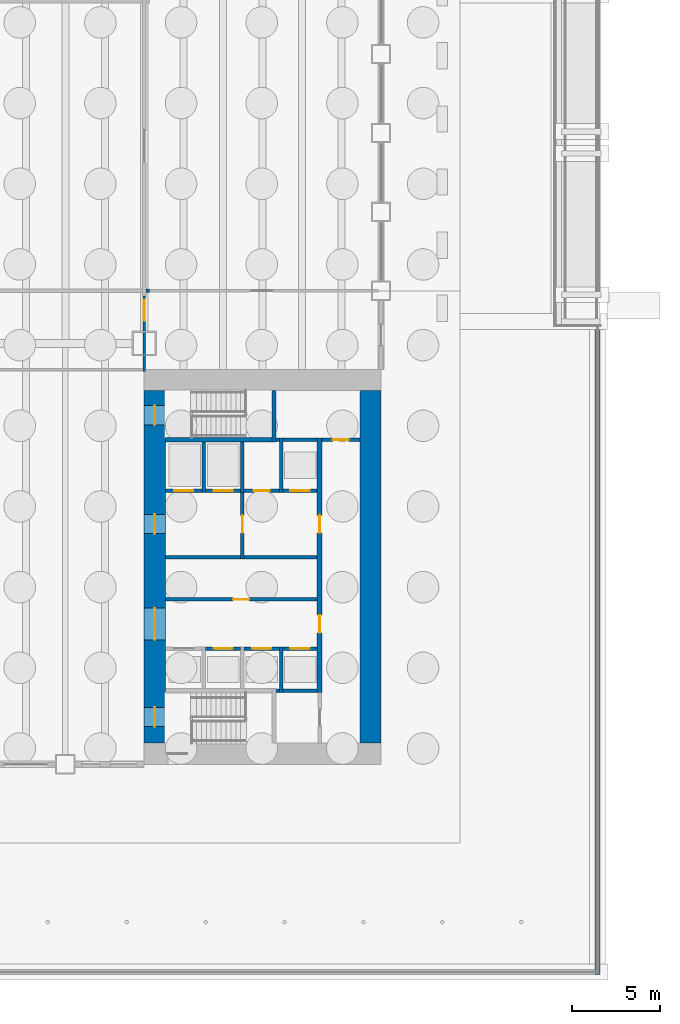
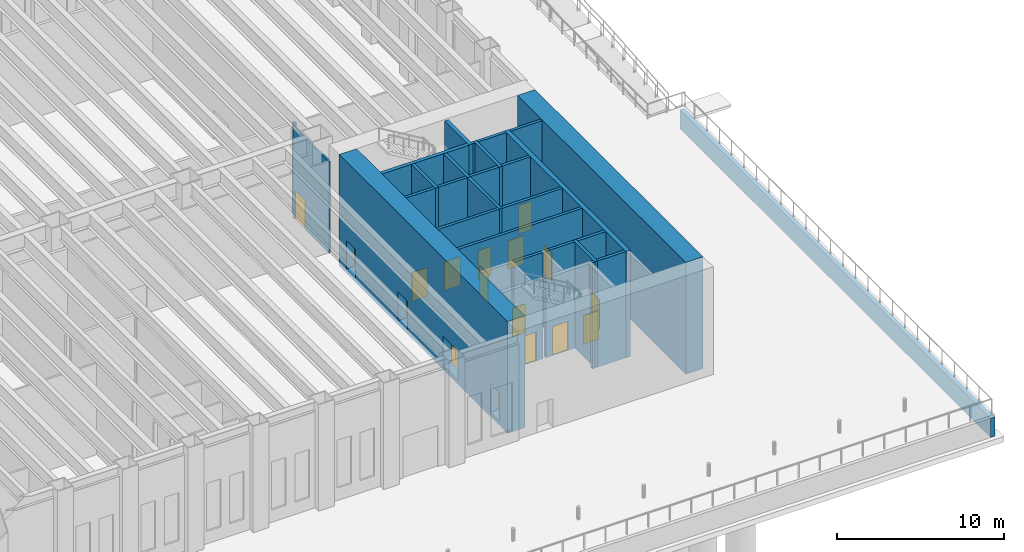
# One storey, part 13 of 26: 28 walls, 17 doors, 17 openings.
"""IFC4 building model written with IfcOpenShell, lengths in metres."""

from ifc_helpers import new_model, si_unit, direction, frame, frame_2d, origin, place, context, subcontext, project, spatial, rectangle, extrude, material, layer, layer_set, type_object, element, fill, save


model = new_model("IFC4")

# Units and contexts
model_context = context("Model", 3, precision=1e-05, world=origin(), true_north=direction((0.0, 1.0)))
body_context = subcontext(model_context, "Body", "Model", "MODEL_VIEW")
ifc_project = project(units=[si_unit("LENGTHUNIT", "METRE"), si_unit("AREAUNIT", "SQUARE_METRE"), si_unit("VOLUMEUNIT", "CUBIC_METRE"), si_unit("PLANEANGLEUNIT", "RADIAN"), si_unit("MASSUNIT", "GRAM", prefix="KILO")], contexts=[model_context])

# Site, building, storey
site_placement = place(None, origin())
site = spatial("IfcSite", under=ifc_project, at=site_placement, CompositionType="ELEMENT")
building_placement = place(site_placement, origin())
building = spatial("IfcBuilding", under=site, at=building_placement, Name="Sennacour Bend Tower", CompositionType="ELEMENT")
storey_placement = place(building_placement, origin())
storey = spatial("IfcBuildingStorey", under=building, at=storey_placement, Name="L00", CompositionType="ELEMENT", Elevation=0.0)

# Wall, openings, doors
ifc_material_1 = material(Name="Concrete C80/95", Category="concrete")
ifc_layer_1 = layer(ifc_material_1, 1.199951171875, Name="Concrete C80/95", Category="concrete")
ifc_layer_set_1 = layer_set([ifc_layer_1], Name="Concrete C80/95")
wall_type_1 = type_object("IfcWallType", Name="Core wall 1200 C80/95", PredefinedType="SHEAR", material=ifc_layer_set_1)
wall_1_placement = place(storey_placement, frame((54.60009765625, 1.199951171875, -0.300048828125), z_axis=(0.0, 0.0, 1.0), x_axis=(0.0, 1.0, 0.0)))
wall_1 = element("IfcWall", 1, at=wall_1_placement, inside=storey, type_object=wall_type_1, Name="Core A wall L00 W", PredefinedType="SHEAR", context=body_context, shape_type="SweptSolid", body=[
    extrude(rectangle(XDim=20.10009765625, YDim=1.199951171875, at=frame_2d((10.050048828125, 0.0))), origin(), (0.0, 0.0, 1.0), 8.150146484375),
])
opening_1_placement = place(wall_1_placement, frame((5.89990234375, 0.0, 0.300048828125)))
opening_1 = element("IfcOpeningElement", 2, at=opening_1_placement, cuts=wall_1, Name="Opening CD", PredefinedType="OPENING", context=body_context, shape_type="SweptSolid", body=[
    extrude(rectangle(XDim=1.800048828125, YDim=2.10009765625, at=frame_2d((0.89990234375, 1.050048828125))), frame((0.0, 0.60986328125, 0.0), z_axis=(0.0, -1.0, 0.0), x_axis=(1.0, 0.0, 0.0)), (0.0, 0.0, 1.0), 1.219970703125),
])
opening_2_placement = place(wall_1_placement, frame((11.949951171875, 0.0, 0.300048828125)))
opening_2 = element("IfcOpeningElement", 3, at=opening_2_placement, cuts=wall_1, Name="Opening FD", PredefinedType="OPENING", context=body_context, shape_type="SweptSolid", body=[
    extrude(rectangle(XDim=1.10009765625, YDim=2.10009765625, at=frame_2d((0.550048828125, 1.050048828125))), frame((0.0, 0.60986328125, 0.0), z_axis=(0.0, -1.0, 0.0), x_axis=(1.0, 0.0, 0.0)), (0.0, 0.0, 1.0), 1.219970703125),
])
opening_3_placement = place(wall_1_placement, frame((0.949951171875, 0.0, 0.300048828125)))
opening_3 = element("IfcOpeningElement", 4, at=opening_3_placement, cuts=wall_1, Name="Opening SD", PredefinedType="OPENING", context=body_context, shape_type="SweptSolid", body=[
    extrude(rectangle(XDim=1.10009765625, YDim=2.10009765625, at=frame_2d((0.550048828125, 1.050048828125))), frame((0.0, 0.60986328125, 0.0), z_axis=(0.0, -1.0, 0.0), x_axis=(1.0, 0.0, 0.0)), (0.0, 0.0, 1.0), 1.219970703125),
])
opening_4_placement = place(wall_1_placement, frame((18.14990234375, 0.0, 0.300048828125)))
opening_4 = element("IfcOpeningElement", 5, at=opening_4_placement, cuts=wall_1, Name="Opening SD", PredefinedType="OPENING", context=body_context, shape_type="SweptSolid", body=[
    extrude(rectangle(XDim=1.10009765625, YDim=2.10009765625, at=frame_2d((0.550048828125, 1.050048828125))), frame((0.0, 0.60986328125, 0.0), z_axis=(0.0, -1.0, 0.0), x_axis=(1.0, 0.0, 0.0)), (0.0, 0.0, 1.0), 1.219970703125),
])
ifc_material_2 = material(Name="Painted steel", Category="steel")
door_type_1 = type_object("IfcDoorType", Name="DR-FFL-1100", OperationType="NOTDEFINED", PredefinedType="DOOR", material=ifc_material_2)
door_1_placement = place(opening_2_placement, origin())
door_1 = element("IfcDoor", 6, at=door_1_placement, inside=storey, type_object=door_type_1, Name="Door", OperationType="SINGLE_SWING_RIGHT", OverallHeight=2.10009765625, OverallWidth=1.10009765625, PredefinedType="DOOR", context=body_context, shape_type="SweptSolid", body=[
    extrude(rectangle(XDim=1.10009765625, YDim=2.10009765625, at=frame_2d((0.550048828125, 1.050048828125))), frame((0.0, 0.02490234375, 0.0), z_axis=(0.0, -1.0, 0.0), x_axis=(1.0, 0.0, 0.0)), (0.0, 0.0, 1.0), 0.050048828125),
])
fill(opening_2, door_1)
door_type_2 = type_object("IfcDoorType", Name="DR-LOBBY-1800", OperationType="NOTDEFINED", PredefinedType="DOOR", material=ifc_material_2)
door_2_placement = place(opening_1_placement, origin())
door_2 = element("IfcDoor", 7, at=door_2_placement, inside=storey, type_object=door_type_2, Name="Door", OperationType="DOUBLE_DOOR_SINGLE_SWING", OverallHeight=2.10009765625, OverallWidth=1.800048828125, PredefinedType="DOOR", context=body_context, shape_type="SweptSolid", body=[
    extrude(rectangle(XDim=1.800048828125, YDim=2.10009765625, at=frame_2d((0.89990234375, 1.050048828125))), frame((0.0, 0.02490234375, 0.0), z_axis=(0.0, -1.0, 0.0), x_axis=(1.0, 0.0, 0.0)), (0.0, 0.0, 1.0), 0.050048828125),
])
fill(opening_1, door_2)
door_type_3 = type_object("IfcDoorType", Name="DR-STAIR-1100", OperationType="NOTDEFINED", PredefinedType="DOOR", material=ifc_material_2)
door_3_placement = place(opening_3_placement, origin())
door_3 = element("IfcDoor", 8, at=door_3_placement, inside=storey, type_object=door_type_3, Name="Door", OperationType="SINGLE_SWING_LEFT", OverallHeight=2.10009765625, OverallWidth=1.10009765625, PredefinedType="DOOR", context=body_context, shape_type="SweptSolid", body=[
    extrude(rectangle(XDim=1.10009765625, YDim=2.10009765625, at=frame_2d((0.550048828125, 1.050048828125))), frame((0.0, 0.02490234375, 0.0), z_axis=(0.0, -1.0, 0.0), x_axis=(1.0, 0.0, 0.0)), (0.0, 0.0, 1.0), 0.050048828125),
])
fill(opening_3, door_3)
door_4_placement = place(opening_4_placement, origin())
door_4 = element("IfcDoor", 9, at=door_4_placement, inside=storey, type_object=door_type_3, Name="Door", OperationType="SINGLE_SWING_RIGHT", OverallHeight=2.10009765625, OverallWidth=1.10009765625, PredefinedType="DOOR", context=body_context, shape_type="SweptSolid", body=[
    extrude(rectangle(XDim=1.10009765625, YDim=2.10009765625, at=frame_2d((0.550048828125, 1.050048828125))), frame((0.0, 0.02490234375, 0.0), z_axis=(0.0, -1.0, 0.0), x_axis=(1.0, 0.0, 0.0)), (0.0, 0.0, 1.0), 0.050048828125),
])
fill(opening_4, door_4)

# Walls
wall_2_placement = place(storey_placement, frame((66.89990234375, 1.199951171875, -0.300048828125), z_axis=(0.0, 0.0, 1.0), x_axis=(0.0, 1.0, 0.0)))
element("IfcWall", 10, at=wall_2_placement, inside=storey, type_object=wall_type_1, Name="Core A wall L00 E", PredefinedType="SHEAR", context=body_context, shape_type="SweptSolid", body=[
    extrude(rectangle(XDim=20.10009765625, YDim=1.199951171875, at=frame_2d((10.050048828125, 0.0))), origin(), (0.0, 0.0, 1.0), 8.150146484375),
])
ifc_material_3 = material(Name="Concrete C40/50", Category="concrete")
ifc_layer_2 = layer(ifc_material_3, 0.300048828125, Name="Concrete C40/50", Category="concrete")
ifc_layer_set_2 = layer_set([ifc_layer_2], Name="Concrete C40/50")
wall_type_2 = type_object("IfcWallType", Name="PLAZA RETAINING WALL 300", PredefinedType="STANDARD", material=ifc_layer_set_2)
wall_3_placement = place(storey_placement, frame((79.85009765625, -12.0, -1.60009765625), z_axis=(0.0, 0.0, 1.0), x_axis=(0.0, 1.0, 0.0)))
element("IfcWall", 11, at=wall_3_placement, inside=storey, type_object=wall_type_2, Name="Plaza retaining wall east", PredefinedType="STANDARD", context=body_context, shape_type="SweptSolid", body=[
    extrude(rectangle(XDim=37.10009765625, YDim=0.300048828125, at=frame_2d((18.550048828125, 0.0))), origin(), (0.0, 0.0, 1.0), 1.400146484375),
])

# Wall, opening, door
ifc_material_4 = material(Name="Plasterboard partition on steel studs", Category="steel")
ifc_layer_3 = layer(ifc_material_4, 0.1201171875, Name="Plasterboard partition on steel studs", Category="steel")
ifc_layer_set_3 = layer_set([ifc_layer_3], Name="Plasterboard partition on steel studs")
wall_type_3 = type_object("IfcWallType", Name="Partition 120 EI 60", PredefinedType="PARTITIONING", material=ifc_layer_set_3)
wall_4_placement = place(storey_placement, frame((54.0, 22.39990234375, 0.0), z_axis=(0.0, 0.0, 1.0), x_axis=(0.0, 1.0, 0.0)))
wall_4 = element("IfcWall", 12, at=wall_4_placement, inside=storey, type_object=wall_type_3, Name="P-L00-W031a", PredefinedType="PARTITIONING", context=body_context, shape_type="SweptSolid", body=[
    extrude(rectangle(XDim=4.300048828125, YDim=0.1201171875, at=frame_2d((2.14990234375, 0.0))), origin(), (0.0, 0.0, 1.0), 6.66015625),
])
opening_5_placement = place(wall_4_placement, frame((2.900146484375, 0.0, 0.0)))
opening_5 = element("IfcOpeningElement", 13, at=opening_5_placement, cuts=wall_4, Name="Opening SV5", PredefinedType="OPENING", context=body_context, shape_type="SweptSolid", body=[
    extrude(rectangle(XDim=1.199951171875, YDim=2.10009765625, at=frame_2d((0.60009765625, 1.050048828125))), frame((0.0, 0.070068359375, 0.0), z_axis=(0.0, -1.0, 0.0), x_axis=(1.0, 0.0, 0.0)), (0.0, 0.0, 1.0), 0.14013671875),
])
door_type_4 = type_object("IfcDoorType", Name="DR-SERVICE-1200", OperationType="NOTDEFINED", PredefinedType="DOOR", material=ifc_material_2)
door_5_placement = place(opening_5_placement, origin())
door_5 = element("IfcDoor", 14, at=door_5_placement, inside=storey, type_object=door_type_4, Name="Door", OperationType="SINGLE_SWING_RIGHT", OverallHeight=2.10009765625, OverallWidth=1.199951171875, PredefinedType="DOOR", context=body_context, shape_type="SweptSolid", body=[
    extrude(rectangle(XDim=1.199951171875, YDim=2.10009765625, at=frame_2d((0.60009765625, 1.050048828125))), frame((0.0, 0.02490234375, 0.0), z_axis=(0.0, -1.0, 0.0), x_axis=(1.0, 0.0, 0.0)), (0.0, 0.0, 1.0), 0.050048828125),
])
fill(opening_5, door_5)

ifc_material_5 = material(Name="Fire-rated plasterboard partition on steel studs", Category="steel")
ifc_layer_4 = layer(ifc_material_5, 0.199951171875, Name="Fire-rated plasterboard partition on steel studs", Category="steel")
ifc_layer_set_4 = layer_set([ifc_layer_4], Name="Fire-rated plasterboard partition on steel studs")
wall_type_4 = type_object("IfcWallType", Name="Rated partition 200", PredefinedType="PARTITIONING", material=ifc_layer_set_4)
wall_5_placement = place(storey_placement, frame((55.199951171875, 9.39990234375, 0.0), z_axis=(0.0, 0.0, 1.0), x_axis=(1.0, 0.0, 0.0)))
wall_5 = element("IfcWall", 15, at=wall_5_placement, inside=storey, type_object=wall_type_4, Name="P-L00-W058", PredefinedType="PARTITIONING", context=body_context, shape_type="SweptSolid", body=[
    extrude(rectangle(XDim=8.650146484375, YDim=0.199951171875, at=frame_2d((4.3251953125, 0.0))), origin(), (0.0, 0.0, 1.0), 7.75),
])
opening_6_placement = place(wall_5_placement, frame((3.875, 0.0, 0.0)))
opening_6 = element("IfcOpeningElement", 16, at=opening_6_placement, cuts=wall_5, Name="Opening SV", PredefinedType="OPENING", context=body_context, shape_type="SweptSolid", body=[
    extrude(rectangle(XDim=0.89990234375, YDim=2.10009765625, at=frame_2d((0.449951171875, 1.050048828125))), frame((0.0, 0.10986328125, 0.0), z_axis=(0.0, -1.0, 0.0), x_axis=(1.0, 0.0, 0.0)), (0.0, 0.0, 1.0), 0.219970703125),
])
door_type_5 = type_object("IfcDoorType", Name="DR-SERVICE-900", OperationType="NOTDEFINED", PredefinedType="DOOR", material=ifc_material_2)
door_6_placement = place(opening_6_placement, origin())
door_6 = element("IfcDoor", 17, at=door_6_placement, inside=storey, type_object=door_type_5, Name="Door", OperationType="SINGLE_SWING_LEFT", OverallHeight=2.10009765625, OverallWidth=0.89990234375, PredefinedType="DOOR", context=body_context, shape_type="SweptSolid", body=[
    extrude(rectangle(XDim=0.89990234375, YDim=2.10009765625, at=frame_2d((0.449951171875, 1.050048828125))), frame((0.0, 0.02490234375, 0.0), z_axis=(0.0, -1.0, 0.0), x_axis=(1.0, 0.0, 0.0)), (0.0, 0.0, 1.0), 0.050048828125),
])
fill(opening_6, door_6)

# Walls
wall_6_placement = place(storey_placement, frame((55.199951171875, 11.800048828125, 0.0), z_axis=(0.0, 0.0, 1.0), x_axis=(1.0, 0.0, 0.0)))
element("IfcWall", 18, at=wall_6_placement, inside=storey, type_object=wall_type_4, Name="P-L00-W060a", PredefinedType="PARTITIONING", context=body_context, shape_type="SweptSolid", body=[
    extrude(rectangle(XDim=4.300048828125, YDim=0.199951171875, at=frame_2d((2.14990234375, 0.0))), origin(), (0.0, 0.0, 1.0), 7.75),
])
wall_7_placement = place(storey_placement, frame((59.699951171875, 11.800048828125, 0.0), z_axis=(0.0, 0.0, 1.0), x_axis=(1.0, 0.0, 0.0)))
element("IfcWall", 19, at=wall_7_placement, inside=storey, type_object=wall_type_4, Name="P-L00-W060b", PredefinedType="PARTITIONING", context=body_context, shape_type="SweptSolid", body=[
    extrude(rectangle(XDim=4.150146484375, YDim=0.199951171875, at=frame_2d((2.0751953125, 0.0))), origin(), (0.0, 0.0, 1.0), 7.75),
])

# Wall, opening, door
wall_8_placement = place(storey_placement, frame((59.699951171875, 15.60009765625, 0.0), z_axis=(0.0, 0.0, 1.0), x_axis=(1.0, 0.0, 0.0)))
wall_8 = element("IfcWall", 20, at=wall_8_placement, inside=storey, type_object=wall_type_4, Name="P-L00-W063", PredefinedType="PARTITIONING", context=body_context, shape_type="SweptSolid", body=[
    extrude(rectangle(XDim=2.0, YDim=0.199951171875, at=frame_2d((1.0, 0.0))), origin(), (0.0, 0.0, 1.0), 7.75),
])
opening_7_placement = place(wall_8_placement, frame((0.550048828125, 0.0, 0.0)))
opening_7 = element("IfcOpeningElement", 21, at=opening_7_placement, cuts=wall_8, Name="Opening SV", PredefinedType="OPENING", context=body_context, shape_type="SweptSolid", body=[
    extrude(rectangle(XDim=0.89990234375, YDim=2.10009765625, at=frame_2d((0.449951171875, 1.050048828125))), frame((0.0, 0.10986328125, 0.0), z_axis=(0.0, -1.0, 0.0), x_axis=(1.0, 0.0, 0.0)), (0.0, 0.0, 1.0), 0.219970703125),
])
door_7_placement = place(opening_7_placement, origin())
door_7 = element("IfcDoor", 22, at=door_7_placement, inside=storey, type_object=door_type_5, Name="Door", OperationType="SINGLE_SWING_LEFT", OverallHeight=2.10009765625, OverallWidth=0.89990234375, PredefinedType="DOOR", context=body_context, shape_type="SweptSolid", body=[
    extrude(rectangle(XDim=0.89990234375, YDim=2.10009765625, at=frame_2d((0.449951171875, 1.050048828125))), frame((0.0, 0.02490234375, 0.0), z_axis=(0.0, -1.0, 0.0), x_axis=(1.0, 0.0, 0.0)), (0.0, 0.0, 1.0), 0.050048828125),
])
fill(opening_7, door_7)

# Wall
wall_9_placement = place(storey_placement, frame((61.52490234375, 18.5, 0.0), z_axis=(0.0, 0.0, 1.0), x_axis=(1.0, 0.0, 0.0)))
element("IfcWall", 23, at=wall_9_placement, inside=storey, type_object=wall_type_4, Name="P-L00-W066", PredefinedType="PARTITIONING", context=body_context, shape_type="SweptSolid", body=[
    extrude(rectangle(XDim=0.175048828125, YDim=0.199951171875, at=frame_2d((0.08740234375, 0.0))), origin(), (0.0, 0.0, 1.0), 7.75),
])

# Wall, opening, door
wall_10_placement = place(storey_placement, frame((64.14990234375, 18.5, 0.0), z_axis=(0.0, 0.0, 1.0), x_axis=(1.0, 0.0, 0.0)))
wall_10 = element("IfcWall", 24, at=wall_10_placement, inside=storey, type_object=wall_type_4, Name="P-L00-W068", PredefinedType="PARTITIONING", context=body_context, shape_type="SweptSolid", body=[
    extrude(rectangle(XDim=2.150146484375, YDim=0.199951171875, at=frame_2d((1.0751953125, 0.0))), origin(), (0.0, 0.0, 1.0), 7.75),
])
opening_8_placement = place(wall_10_placement, frame((0.60009765625, 0.0, 0.0)))
opening_8 = element("IfcOpeningElement", 25, at=opening_8_placement, cuts=wall_10, Name="Opening SV", PredefinedType="OPENING", context=body_context, shape_type="SweptSolid", body=[
    extrude(rectangle(XDim=0.89990234375, YDim=2.10009765625, at=frame_2d((0.449951171875, 1.050048828125))), frame((0.0, 0.10986328125, 0.0), z_axis=(0.0, -1.0, 0.0), x_axis=(1.0, 0.0, 0.0)), (0.0, 0.0, 1.0), 0.219970703125),
])
door_8_placement = place(opening_8_placement, origin())
door_8 = element("IfcDoor", 26, at=door_8_placement, inside=storey, type_object=door_type_5, Name="Door", OperationType="SINGLE_SWING_LEFT", OverallHeight=2.10009765625, OverallWidth=0.89990234375, PredefinedType="DOOR", context=body_context, shape_type="SweptSolid", body=[
    extrude(rectangle(XDim=0.89990234375, YDim=2.10009765625, at=frame_2d((0.449951171875, 1.050048828125))), frame((0.0, 0.02490234375, 0.0), z_axis=(0.0, -1.0, 0.0), x_axis=(1.0, 0.0, 0.0)), (0.0, 0.0, 1.0), 0.050048828125),
])
fill(opening_8, door_8)

# Wall
wall_11_placement = place(storey_placement, frame((54.10009765625, 27.0, 0.0), z_axis=(0.0, 0.0, 1.0), x_axis=(1.0, 0.0, 0.0)))
element("IfcWall", 27, at=wall_11_placement, inside=storey, type_object=wall_type_4, Name="P-L00-W072ac", PredefinedType="PARTITIONING", context=body_context, shape_type="SweptSolid", body=[
    extrude(rectangle(XDim=0.199951171875, YDim=0.199951171875, at=frame_2d((0.10009765625, 0.0))), origin(), (0.0, 0.0, 1.0), 6.66015625),
])

# Wall, opening, door
ifc_layer_5 = layer(ifc_material_5, 0.199951171875, Name="Fire-rated plasterboard partition on steel studs", Category="steel")
ifc_layer_set_5 = layer_set([ifc_layer_5], Name="Fire-rated plasterboard partition on steel studs")
wall_type_5 = type_object("IfcWallType", Name="Rated partition 200 EI 90", PredefinedType="PARTITIONING", material=ifc_layer_set_5)
wall_12_placement = place(storey_placement, frame((59.60009765625, 11.699951171875, 0.0), z_axis=(0.0, 0.0, 1.0), x_axis=(0.0, 1.0, 0.0)))
wall_12 = element("IfcWall", 28, at=wall_12_placement, inside=storey, type_object=wall_type_5, Name="P-L00-W037", PredefinedType="PARTITIONING", context=body_context, shape_type="SweptSolid", body=[
    extrude(rectangle(XDim=3.800048828125, YDim=0.199951171875, at=frame_2d((1.89990234375, 0.0))), origin(), (0.0, 0.0, 1.0), 7.75),
])
opening_9_placement = place(wall_12_placement, frame((1.5, 0.0, 0.0)))
opening_9 = element("IfcOpeningElement", 29, at=opening_9_placement, cuts=wall_12, Name="Opening FD2", PredefinedType="OPENING", context=body_context, shape_type="SweptSolid", body=[
    extrude(rectangle(XDim=1.0, YDim=2.10009765625, at=frame_2d((0.5, 1.050048828125))), frame((0.0, 0.10986328125, 0.0), z_axis=(0.0, -1.0, 0.0), x_axis=(1.0, 0.0, 0.0)), (0.0, 0.0, 1.0), 0.219970703125),
])
door_type_6 = type_object("IfcDoorType", Name="DR-FFL-1000", OperationType="NOTDEFINED", PredefinedType="DOOR", material=ifc_material_2)
door_9_placement = place(opening_9_placement, origin())
door_9 = element("IfcDoor", 30, at=door_9_placement, inside=storey, type_object=door_type_6, Name="Door", OperationType="SINGLE_SWING_RIGHT", OverallHeight=2.10009765625, OverallWidth=1.0, PredefinedType="DOOR", context=body_context, shape_type="SweptSolid", body=[
    extrude(rectangle(XDim=1.0, YDim=2.10009765625, at=frame_2d((0.5, 1.050048828125))), frame((0.0, 0.02490234375, 0.0), z_axis=(0.0, -1.0, 0.0), x_axis=(1.0, 0.0, 0.0)), (0.0, 0.0, 1.0), 0.050048828125),
])
fill(opening_9, door_9)

# Walls
ifc_material_6 = material(Name="Concrete C50/60", Category="concrete")
ifc_layer_6 = layer(ifc_material_6, 0.199951171875, Name="Concrete C50/60", Category="concrete")
ifc_layer_set_6 = layer_set([ifc_layer_6], Name="Concrete C50/60")
wall_type_6 = type_object("IfcWallType", Name="Shaft wall 200", PredefinedType="SOLIDWALL", material=ifc_layer_set_6)
for number, where, z_axis, x_axis, name in (
    (31, (57.39990234375, 15.5, 0.0), (0.0, 0.0, 1.0), (0.0, 1.0, 0.0), "P-L00-W035"),
    (32, (59.60009765625, 15.5, 0.0), (0.0, 0.0, 1.0), (0.0, 1.0, 0.0), "P-L00-W038"),
):
    element("IfcWall", number, at=place(storey_placement, frame(where, z_axis=z_axis, x_axis=x_axis)), inside=storey, type_object=wall_type_6, Name=name, PredefinedType="SOLIDWALL", context=body_context, shape_type="SweptSolid", body=[
        extrude(rectangle(XDim=2.875, YDim=0.199951171875, at=frame_2d((1.4375, 0.0))), origin(), (0.0, 0.0, 1.0), 7.75),
    ])
wall_13_placement = place(storey_placement, frame((61.800048828125, 4.10009765625, 0.0), z_axis=(0.0, 0.0, 1.0), x_axis=(0.0, 1.0, 0.0)))
element("IfcWall", 33, at=wall_13_placement, inside=storey, type_object=wall_type_6, Name="P-L00-W041", PredefinedType="SOLIDWALL", context=body_context, shape_type="SweptSolid", body=[
    extrude(rectangle(XDim=2.599853515625, YDim=0.199951171875, at=frame_2d((1.2998046875, 0.0))), origin(), (0.0, 0.0, 1.0), 7.75),
])
wall_14_placement = place(storey_placement, frame((61.800048828125, 15.5, 0.0), z_axis=(0.0, 0.0, 1.0), x_axis=(0.0, 1.0, 0.0)))
element("IfcWall", 34, at=wall_14_placement, inside=storey, type_object=wall_type_6, Name="P-L00-W042", PredefinedType="SOLIDWALL", context=body_context, shape_type="SweptSolid", body=[
    extrude(rectangle(XDim=3.10009765625, YDim=0.199951171875, at=frame_2d((1.550048828125, 0.0))), origin(), (0.0, 0.0, 1.0), 7.75),
])
wall_15_placement = place(storey_placement, frame((61.52490234375, 4.199951171875, 0.0), z_axis=(0.0, 0.0, 1.0), x_axis=(1.0, 0.0, 0.0)))
element("IfcWall", 35, at=wall_15_placement, inside=storey, type_object=wall_type_6, Name="P-L00-W054a", PredefinedType="SOLIDWALL", context=body_context, shape_type="SweptSolid", body=[
    extrude(rectangle(XDim=0.175048828125, YDim=0.199951171875, at=frame_2d((0.08740234375, 0.0))), origin(), (0.0, 0.0, 1.0), 7.75),
])
wall_16_placement = place(storey_placement, frame((61.89990234375, 4.199951171875, 0.0), z_axis=(0.0, 0.0, 1.0), x_axis=(1.0, 0.0, 0.0)))
element("IfcWall", 36, at=wall_16_placement, inside=storey, type_object=wall_type_6, Name="P-L00-W054b", PredefinedType="SOLIDWALL", context=body_context, shape_type="SweptSolid", body=[
    extrude(rectangle(XDim=1.9501953125, YDim=0.199951171875, at=frame_2d((0.97509765625, 0.0))), origin(), (0.0, 0.0, 1.0), 7.75),
])

# Wall, opening, door
wall_17_placement = place(storey_placement, frame((57.5, 6.60009765625, 0.0), z_axis=(0.0, 0.0, 1.0), x_axis=(1.0, 0.0, 0.0)))
wall_17 = element("IfcWall", 37, at=wall_17_placement, inside=storey, type_object=wall_type_6, Name="P-L00-W056b", PredefinedType="SOLIDWALL", context=body_context, shape_type="SweptSolid", body=[
    extrude(rectangle(XDim=2.0, YDim=0.199951171875, at=frame_2d((1.0, 0.0))), origin(), (0.0, 0.0, 1.0), 7.75),
])
opening_10_placement = place(wall_17_placement, frame((0.449951171875, 0.0, 0.011962890625)))
opening_10 = element("IfcOpeningElement", 38, at=opening_10_placement, cuts=wall_17, Name="Opening LD", PredefinedType="OPENING", context=body_context, shape_type="SweptSolid", body=[
    extrude(rectangle(XDim=1.10009765625, YDim=2.10009765625, at=frame_2d((0.550048828125, 1.050048828125))), frame((0.0, 0.10986328125, 0.0), z_axis=(0.0, -1.0, 0.0), x_axis=(1.0, 0.0, 0.0)), (0.0, 0.0, 1.0), 0.219970703125),
])
ifc_material_7 = material(Name="Stainless steel", Category="steel")
door_type_7 = type_object("IfcDoorType", Name="DR-LANDING-1100", OperationType="NOTDEFINED", PredefinedType="DOOR", material=ifc_material_7)
door_10_placement = place(opening_10_placement, origin())
door_10 = element("IfcDoor", 39, at=door_10_placement, inside=storey, type_object=door_type_7, Name="Lift landing door LA2", OperationType="SLIDING_TO_RIGHT", OverallHeight=2.10009765625, OverallWidth=1.10009765625, PredefinedType="DOOR", context=body_context, shape_type="SweptSolid", body=[
    extrude(rectangle(XDim=1.10009765625, YDim=2.10009765625, at=frame_2d((0.550048828125, 1.050048828125))), frame((0.0, 0.02490234375, 0.0), z_axis=(0.0, -1.0, 0.0), x_axis=(1.0, 0.0, 0.0)), (0.0, 0.0, 1.0), 0.050048828125),
])
fill(opening_10, door_10)

wall_18_placement = place(storey_placement, frame((59.699951171875, 6.60009765625, 0.0), z_axis=(0.0, 0.0, 1.0), x_axis=(1.0, 0.0, 0.0)))
wall_18 = element("IfcWall", 40, at=wall_18_placement, inside=storey, type_object=wall_type_6, Name="P-L00-W056c", PredefinedType="SOLIDWALL", context=body_context, shape_type="SweptSolid", body=[
    extrude(rectangle(XDim=2.0, YDim=0.199951171875, at=frame_2d((1.0, 0.0))), origin(), (0.0, 0.0, 1.0), 7.75),
])
opening_11_placement = place(wall_18_placement, frame((0.449951171875, 0.0, 0.011962890625)))
opening_11 = element("IfcOpeningElement", 41, at=opening_11_placement, cuts=wall_18, Name="Opening LD", PredefinedType="OPENING", context=body_context, shape_type="SweptSolid", body=[
    extrude(rectangle(XDim=1.10009765625, YDim=2.10009765625, at=frame_2d((0.550048828125, 1.050048828125))), frame((0.0, 0.10986328125, 0.0), z_axis=(0.0, -1.0, 0.0), x_axis=(1.0, 0.0, 0.0)), (0.0, 0.0, 1.0), 0.219970703125),
])
door_11_placement = place(opening_11_placement, origin())
door_11 = element("IfcDoor", 42, at=door_11_placement, inside=storey, type_object=door_type_7, Name="Lift landing door LA3", OperationType="SLIDING_TO_LEFT", OverallHeight=2.10009765625, OverallWidth=1.10009765625, PredefinedType="DOOR", context=body_context, shape_type="SweptSolid", body=[
    extrude(rectangle(XDim=1.10009765625, YDim=2.10009765625, at=frame_2d((0.550048828125, 1.050048828125))), frame((0.0, 0.02490234375, 0.0), z_axis=(0.0, -1.0, 0.0), x_axis=(1.0, 0.0, 0.0)), (0.0, 0.0, 1.0), 0.050048828125),
])
fill(opening_11, door_11)

wall_19_placement = place(storey_placement, frame((61.89990234375, 6.60009765625, 0.0), z_axis=(0.0, 0.0, 1.0), x_axis=(1.0, 0.0, 0.0)))
wall_19 = element("IfcWall", 43, at=wall_19_placement, inside=storey, type_object=wall_type_6, Name="P-L00-W056d", PredefinedType="SOLIDWALL", context=body_context, shape_type="SweptSolid", body=[
    extrude(rectangle(XDim=1.9501953125, YDim=0.199951171875, at=frame_2d((0.97509765625, 0.0))), origin(), (0.0, 0.0, 1.0), 7.75),
])
opening_12_placement = place(wall_19_placement, frame((0.425048828125, 0.0, 0.011962890625)))
opening_12 = element("IfcOpeningElement", 44, at=opening_12_placement, cuts=wall_19, Name="Opening LD", PredefinedType="OPENING", context=body_context, shape_type="SweptSolid", body=[
    extrude(rectangle(XDim=1.10009765625, YDim=2.10009765625, at=frame_2d((0.550048828125, 1.050048828125))), frame((0.0, 0.10986328125, 0.0), z_axis=(0.0, -1.0, 0.0), x_axis=(1.0, 0.0, 0.0)), (0.0, 0.0, 1.0), 0.219970703125),
])
door_12_placement = place(opening_12_placement, origin())
door_12 = element("IfcDoor", 45, at=door_12_placement, inside=storey, type_object=door_type_7, Name="Lift landing door LA4", OperationType="SLIDING_TO_RIGHT", OverallHeight=2.10009765625, OverallWidth=1.10009765625, PredefinedType="DOOR", context=body_context, shape_type="SweptSolid", body=[
    extrude(rectangle(XDim=1.10009765625, YDim=2.10009765625, at=frame_2d((0.550048828125, 1.050048828125))), frame((0.0, 0.02490234375, 0.0), z_axis=(0.0, -1.0, 0.0), x_axis=(1.0, 0.0, 0.0)), (0.0, 0.0, 1.0), 0.050048828125),
])
fill(opening_12, door_12)

wall_20_placement = place(storey_placement, frame((55.199951171875, 15.60009765625, 0.0), z_axis=(0.0, 0.0, 1.0), x_axis=(1.0, 0.0, 0.0)))
wall_20 = element("IfcWall", 46, at=wall_20_placement, inside=storey, type_object=wall_type_6, Name="P-L00-W062a", PredefinedType="SOLIDWALL", context=body_context, shape_type="SweptSolid", body=[
    extrude(rectangle(XDim=2.10009765625, YDim=0.199951171875, at=frame_2d((1.050048828125, 0.0))), origin(), (0.0, 0.0, 1.0), 7.75),
])
opening_13_placement = place(wall_20_placement, frame((0.5, 0.0, 0.011962890625)))
opening_13 = element("IfcOpeningElement", 47, at=opening_13_placement, cuts=wall_20, Name="Opening FLD", PredefinedType="OPENING", context=body_context, shape_type="SweptSolid", body=[
    extrude(rectangle(XDim=1.10009765625, YDim=2.10009765625, at=frame_2d((0.550048828125, 1.050048828125))), frame((0.0, 0.10986328125, 0.0), z_axis=(0.0, -1.0, 0.0), x_axis=(1.0, 0.0, 0.0)), (0.0, 0.0, 1.0), 0.219970703125),
])
door_type_8 = type_object("IfcDoorType", Name="DR-FF-LANDING-1100", OperationType="NOTDEFINED", PredefinedType="DOOR", material=ifc_material_7)
door_13_placement = place(opening_13_placement, origin())
door_13 = element("IfcDoor", 48, at=door_13_placement, inside=storey, type_object=door_type_8, Name="Fire service lift landing door FA1", OperationType="SLIDING_TO_LEFT", OverallHeight=2.10009765625, OverallWidth=1.10009765625, PredefinedType="DOOR", context=body_context, shape_type="SweptSolid", body=[
    extrude(rectangle(XDim=1.10009765625, YDim=2.10009765625, at=frame_2d((0.550048828125, 1.050048828125))), frame((0.0, 0.02490234375, 0.0), z_axis=(0.0, -1.0, 0.0), x_axis=(1.0, 0.0, 0.0)), (0.0, 0.0, 1.0), 0.050048828125),
])
fill(opening_13, door_13)

wall_21_placement = place(storey_placement, frame((57.5, 15.60009765625, 0.0), z_axis=(0.0, 0.0, 1.0), x_axis=(1.0, 0.0, 0.0)))
wall_21 = element("IfcWall", 49, at=wall_21_placement, inside=storey, type_object=wall_type_6, Name="P-L00-W062b", PredefinedType="SOLIDWALL", context=body_context, shape_type="SweptSolid", body=[
    extrude(rectangle(XDim=2.0, YDim=0.199951171875, at=frame_2d((1.0, 0.0))), origin(), (0.0, 0.0, 1.0), 7.75),
])
opening_14_placement = place(wall_21_placement, frame((0.449951171875, 0.0, 0.011962890625)))
opening_14 = element("IfcOpeningElement", 50, at=opening_14_placement, cuts=wall_21, Name="Opening FLD", PredefinedType="OPENING", context=body_context, shape_type="SweptSolid", body=[
    extrude(rectangle(XDim=1.10009765625, YDim=2.10009765625, at=frame_2d((0.550048828125, 1.050048828125))), frame((0.0, 0.10986328125, 0.0), z_axis=(0.0, -1.0, 0.0), x_axis=(1.0, 0.0, 0.0)), (0.0, 0.0, 1.0), 0.219970703125),
])
door_14_placement = place(opening_14_placement, origin())
door_14 = element("IfcDoor", 51, at=door_14_placement, inside=storey, type_object=door_type_8, Name="Fire service lift landing door FA2", OperationType="SLIDING_TO_RIGHT", OverallHeight=2.10009765625, OverallWidth=1.10009765625, PredefinedType="DOOR", context=body_context, shape_type="SweptSolid", body=[
    extrude(rectangle(XDim=1.10009765625, YDim=2.10009765625, at=frame_2d((0.550048828125, 1.050048828125))), frame((0.0, 0.02490234375, 0.0), z_axis=(0.0, -1.0, 0.0), x_axis=(1.0, 0.0, 0.0)), (0.0, 0.0, 1.0), 0.050048828125),
])
fill(opening_14, door_14)

wall_22_placement = place(storey_placement, frame((61.89990234375, 15.60009765625, 0.0), z_axis=(0.0, 0.0, 1.0), x_axis=(1.0, 0.0, 0.0)))
wall_22 = element("IfcWall", 52, at=wall_22_placement, inside=storey, type_object=wall_type_6, Name="P-L00-W064", PredefinedType="SOLIDWALL", context=body_context, shape_type="SweptSolid", body=[
    extrude(rectangle(XDim=1.9501953125, YDim=0.199951171875, at=frame_2d((0.97509765625, 0.0))), origin(), (0.0, 0.0, 1.0), 7.75),
])
opening_15_placement = place(wall_22_placement, frame((0.425048828125, 0.0, 0.011962890625)))
opening_15 = element("IfcOpeningElement", 53, at=opening_15_placement, cuts=wall_22, Name="Opening LD", PredefinedType="OPENING", context=body_context, shape_type="SweptSolid", body=[
    extrude(rectangle(XDim=1.10009765625, YDim=2.10009765625, at=frame_2d((0.550048828125, 1.050048828125))), frame((0.0, 0.10986328125, 0.0), z_axis=(0.0, -1.0, 0.0), x_axis=(1.0, 0.0, 0.0)), (0.0, 0.0, 1.0), 0.219970703125),
])
door_15_placement = place(opening_15_placement, origin())
door_15 = element("IfcDoor", 54, at=door_15_placement, inside=storey, type_object=door_type_7, Name="Lift landing door LA5", OperationType="SLIDING_TO_LEFT", OverallHeight=2.10009765625, OverallWidth=1.10009765625, PredefinedType="DOOR", context=body_context, shape_type="SweptSolid", body=[
    extrude(rectangle(XDim=1.10009765625, YDim=2.10009765625, at=frame_2d((0.550048828125, 1.050048828125))), frame((0.0, 0.02490234375, 0.0), z_axis=(0.0, -1.0, 0.0), x_axis=(1.0, 0.0, 0.0)), (0.0, 0.0, 1.0), 0.050048828125),
])
fill(opening_15, door_15)

# Wall
wall_23_placement = place(storey_placement, frame((61.89990234375, 18.5, 0.0), z_axis=(0.0, 0.0, 1.0), x_axis=(1.0, 0.0, 0.0)))
element("IfcWall", 55, at=wall_23_placement, inside=storey, type_object=wall_type_6, Name="P-L00-W067", PredefinedType="SOLIDWALL", context=body_context, shape_type="SweptSolid", body=[
    extrude(rectangle(XDim=1.9501953125, YDim=0.199951171875, at=frame_2d((0.97509765625, 0.0))), origin(), (0.0, 0.0, 1.0), 7.75),
])

# Wall, openings, doors
ifc_material_8 = material(Name="Concrete C60/75", Category="concrete")
ifc_layer_7 = layer(ifc_material_8, 0.300048828125, Name="Concrete C60/75", Category="concrete")
ifc_layer_set_7 = layer_set([ifc_layer_7], Name="Concrete C60/75")
wall_type_7 = type_object("IfcWallType", Name="Spine wall 300", PredefinedType="SHEAR", material=ifc_layer_set_7)
wall_24_placement = place(storey_placement, frame((64.0, 4.10009765625, 0.0), z_axis=(0.0, 0.0, 1.0), x_axis=(0.0, 1.0, 0.0)))
wall_24 = element("IfcWall", 56, at=wall_24_placement, inside=storey, type_object=wall_type_7, Name="P-L00-W044", PredefinedType="SHEAR", context=body_context, shape_type="SweptSolid", body=[
    extrude(rectangle(XDim=14.5, YDim=0.300048828125, at=frame_2d((7.25, 0.0))), origin(), (0.0, 0.0, 1.0), 7.75),
])
opening_16_placement = place(wall_24_placement, frame((3.39990234375, 0.0, 0.0)))
opening_16 = element("IfcOpeningElement", 57, at=opening_16_placement, cuts=wall_24, Name="Opening CD2", PredefinedType="OPENING", context=body_context, shape_type="SweptSolid", body=[
    extrude(rectangle(XDim=1.0, YDim=2.10009765625, at=frame_2d((0.5, 1.050048828125))), frame((0.0, 0.16015625, 0.0), z_axis=(0.0, -1.0, 0.0), x_axis=(1.0, 0.0, 0.0)), (0.0, 0.0, 1.0), 0.320068359375),
])
opening_17_placement = place(wall_24_placement, frame((9.099853515625, 0.0, 0.0)))
opening_17 = element("IfcOpeningElement", 58, at=opening_17_placement, cuts=wall_24, Name="Opening CD2", PredefinedType="OPENING", context=body_context, shape_type="SweptSolid", body=[
    extrude(rectangle(XDim=1.0, YDim=2.10009765625, at=frame_2d((0.5, 1.050048828125))), frame((0.0, 0.16015625, 0.0), z_axis=(0.0, -1.0, 0.0), x_axis=(1.0, 0.0, 0.0)), (0.0, 0.0, 1.0), 0.320068359375),
])
door_type_9 = type_object("IfcDoorType", Name="DR-LOBBY-1000", OperationType="NOTDEFINED", PredefinedType="DOOR", material=ifc_material_2)
door_16_placement = place(opening_16_placement, origin())
door_16 = element("IfcDoor", 59, at=door_16_placement, inside=storey, type_object=door_type_9, Name="Door", OperationType="SINGLE_SWING_LEFT", OverallHeight=2.10009765625, OverallWidth=1.0, PredefinedType="DOOR", context=body_context, shape_type="SweptSolid", body=[
    extrude(rectangle(XDim=1.0, YDim=2.10009765625, at=frame_2d((0.5, 1.050048828125))), frame((0.0, 0.02490234375, 0.0), z_axis=(0.0, -1.0, 0.0), x_axis=(1.0, 0.0, 0.0)), (0.0, 0.0, 1.0), 0.050048828125),
])
fill(opening_16, door_16)
door_17_placement = place(opening_17_placement, origin())
door_17 = element("IfcDoor", 60, at=door_17_placement, inside=storey, type_object=door_type_9, Name="Door", OperationType="SINGLE_SWING_RIGHT", OverallHeight=2.10009765625, OverallWidth=1.0, PredefinedType="DOOR", context=body_context, shape_type="SweptSolid", body=[
    extrude(rectangle(XDim=1.0, YDim=2.10009765625, at=frame_2d((0.5, 1.050048828125))), frame((0.0, 0.02490234375, 0.0), z_axis=(0.0, -1.0, 0.0), x_axis=(1.0, 0.0, 0.0)), (0.0, 0.0, 1.0), 0.050048828125),
])
fill(opening_17, door_17)

# Walls
ifc_layer_8 = layer(ifc_material_8, 0.25, Name="Concrete C60/75", Category="concrete")
ifc_layer_set_8 = layer_set([ifc_layer_8], Name="Concrete C60/75")
wall_type_8 = type_object("IfcWallType", Name="Stair wall 250", PredefinedType="SHEAR", material=ifc_layer_set_8)
wall_25_placement = place(storey_placement, frame((61.39990234375, 18.375, 0.0), z_axis=(0.0, 0.0, 1.0), x_axis=(0.0, 1.0, 0.0)))
element("IfcWall", 61, at=wall_25_placement, inside=storey, type_object=wall_type_8, Name="P-L00-W040", PredefinedType="SHEAR", context=body_context, shape_type="SweptSolid", body=[
    extrude(rectangle(XDim=2.925048828125, YDim=0.25, at=frame_2d((1.46240234375, 0.0))), origin(), (0.0, 0.0, 1.0), 7.75),
])
wall_26_placement = place(storey_placement, frame((55.199951171875, 18.5, 0.0), z_axis=(0.0, 0.0, 1.0), x_axis=(1.0, 0.0, 0.0)))
element("IfcWall", 62, at=wall_26_placement, inside=storey, type_object=wall_type_8, Name="P-L00-W065", PredefinedType="SHEAR", context=body_context, shape_type="SweptSolid", body=[
    extrude(rectangle(XDim=6.074951171875, YDim=0.25, at=frame_2d((3.03759765625, 0.0))), origin(), (0.0, 0.0, 1.0), 7.75),
])

save(model, "model.ifc")
